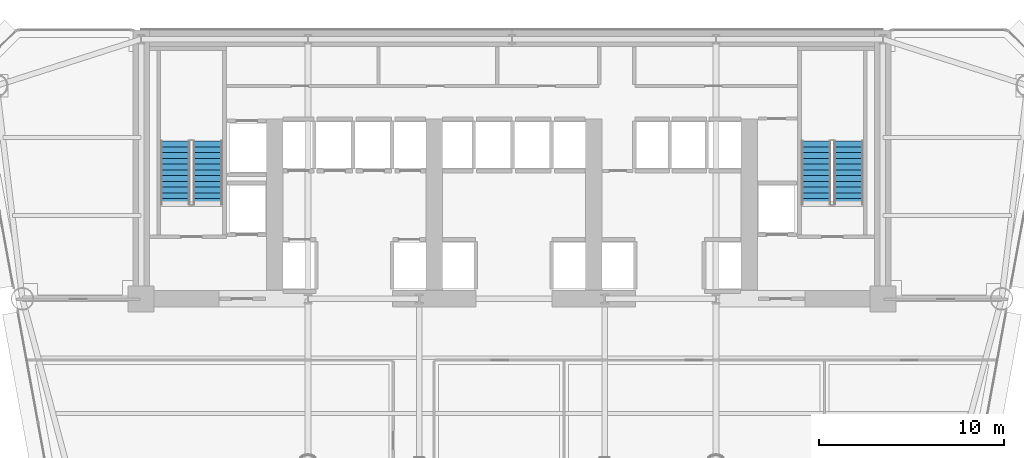
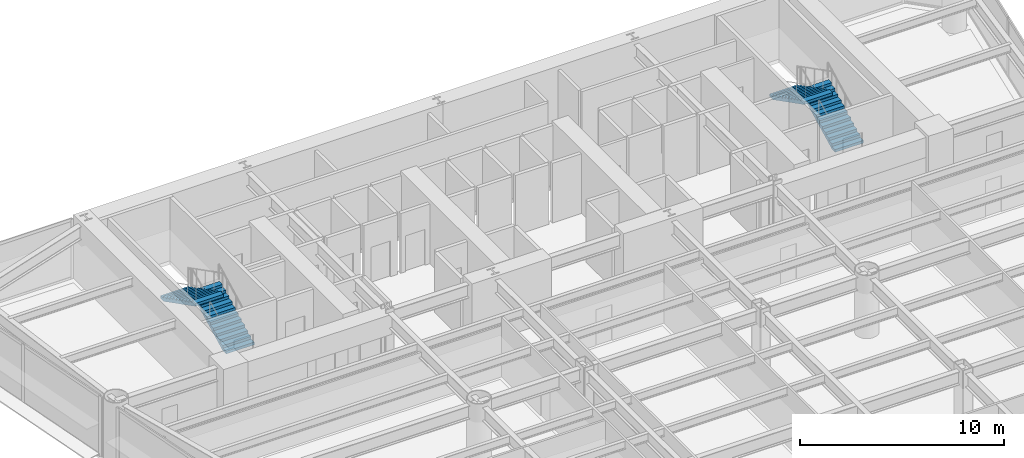
# One storey, part 10 of 14: 4 stair flights, 2 elements without a shape of their own.
"""IFC4 building model written with IfcOpenShell, lengths in metres."""

from ifc_helpers import new_model, si_unit, direction, frame, origin, place, context, subcontext, project, spatial, polyline, outline, extrude, material, type_object, element, aggregate, save


model = new_model("IFC4")

# Units and contexts
model_context = context("Model", 3, precision=1e-05, world=origin(), true_north=direction((0.0, 1.0)))
body_context = subcontext(model_context, "Body", "Model", "MODEL_VIEW")
ifc_project = project(units=[si_unit("LENGTHUNIT", "METRE"), si_unit("AREAUNIT", "SQUARE_METRE"), si_unit("VOLUMEUNIT", "CUBIC_METRE"), si_unit("PLANEANGLEUNIT", "RADIAN"), si_unit("MASSUNIT", "GRAM", prefix="KILO")], contexts=[model_context])

# Site, building, storey
site_placement = place(None, origin())
site = spatial("IfcSite", under=ifc_project, at=site_placement, CompositionType="ELEMENT")
building_placement = place(site_placement, origin())
building = spatial("IfcBuilding", under=site, at=building_placement, Name="Vaeldorn Concourse Tower", CompositionType="ELEMENT")
storey_placement = place(building_placement, frame((0.0, 0.0, 72.0)))
storey = spatial("IfcBuildingStorey", under=building, at=storey_placement, Name="L18", CompositionType="ELEMENT", Elevation=72.0)

# Stair, stair flights
ifc_material = material(Name="Precast concrete C40/50", Category="concrete")
stair_type = type_object("IfcStairType", Name="STR-DOG-24x158", PredefinedType="HALF_TURN_STAIR", material=ifc_material)
stair_1_placement = place(storey_placement, origin())
stair_1 = element("IfcStair", 1, at=stair_1_placement, inside=storey, type_object=stair_type, Name="L18 West Core Exit Stair ST-1", PredefinedType="HALF_TURN_STAIR")
stair_flight_type = type_object("IfcStairFlightType", Name="STF-STR-12x158", PredefinedType="STRAIGHT", material=ifc_material)
stair_flight_1_placement = place(storey_placement, frame((17.60009765625, 41.60009765625, 0.0), z_axis=(0.0, 0.0, 1.0), x_axis=(0.0, 1.0, 0.0)))
stair_flight_1 = element("IfcStairFlight", 2, at=stair_flight_1_placement, type_object=stair_flight_type, Name="ST-1 flight 1", NumberOfRisers=12, NumberOfTreads=11, PredefinedType="STRAIGHT", RiserHeight=0.158333333, TreadLength=0.31, context=body_context, shape_type="SweptSolid", body=[
    extrude(outline(polyline([(0.0, 0.0), (0.0, 0.158447265625), (0.31005859375, 0.158447265625), (0.31005859375, 0.316650390625), (0.6201171875, 0.316650390625), (0.6201171875, 0.47509765625), (0.929931640625, 0.47509765625), (0.929931640625, 0.63330078125), (1.239990234375, 0.63330078125), (1.239990234375, 0.791748046875), (1.550048828125, 0.791748046875), (1.550048828125, 0.949951171875), (1.860107421875, 0.949951171875), (1.860107421875, 1.1083984375), (2.169921875, 1.1083984375), (2.169921875, 1.2666015625), (2.47998046875, 1.2666015625), (2.47998046875, 1.425048828125), (2.7900390625, 1.425048828125), (2.7900390625, 1.583251953125), (3.10009765625, 1.583251953125), (3.10009765625, 1.74169921875), (3.409912109375, 1.74169921875), (3.409912109375, 1.89990234375), (3.409912109375, 1.5732421875), (0.32958984375, 0.0), (0.0, 0.0)])), frame((0.0, 0.800048828125, 0.0), z_axis=(0.0, -1.0, 0.0), x_axis=(1.0, 0.0, 0.0)), (0.0, 0.0, 1.0), 1.60009765625),
])
stair_flight_2_placement = place(storey_placement, frame((15.85009765625, 45.010009765625, 1.89990234375), z_axis=(0.0, 0.0, 1.0), x_axis=(0.0, -1.0, 0.0)))
stair_flight_2 = element("IfcStairFlight", 3, at=stair_flight_2_placement, type_object=stair_flight_type, Name="ST-1 flight 2", NumberOfRisers=12, NumberOfTreads=11, PredefinedType="STRAIGHT", RiserHeight=0.158333333, TreadLength=0.31, context=body_context, shape_type="SweptSolid", body=[
    extrude(outline(polyline([(0.0, 0.0), (0.0, 0.158447265625), (0.31005859375, 0.158447265625), (0.31005859375, 0.316650390625), (0.6201171875, 0.316650390625), (0.6201171875, 0.47509765625), (0.929931640625, 0.47509765625), (0.929931640625, 0.63330078125), (1.239990234375, 0.63330078125), (1.239990234375, 0.791748046875), (1.550048828125, 0.791748046875), (1.550048828125, 0.949951171875), (1.860107421875, 0.949951171875), (1.860107421875, 1.1083984375), (2.169921875, 1.1083984375), (2.169921875, 1.2666015625), (2.47998046875, 1.2666015625), (2.47998046875, 1.425048828125), (2.7900390625, 1.425048828125), (2.7900390625, 1.583251953125), (3.10009765625, 1.583251953125), (3.10009765625, 1.74169921875), (3.409912109375, 1.74169921875), (3.409912109375, 1.89990234375), (3.409912109375, 1.5732421875), (0.32958984375, 0.0), (0.0, 0.0)])), frame((0.0, 0.800048828125, 0.0), z_axis=(0.0, -1.0, 0.0), x_axis=(1.0, 0.0, 0.0)), (0.0, 0.0, 1.0), 1.60009765625),
])
aggregate(stair_1, [stair_flight_1, stair_flight_2])

stair_2_placement = place(storey_placement, origin())
stair_2 = element("IfcStair", 4, at=stair_2_placement, inside=storey, type_object=stair_type, Name="L18 East Core Exit Stair ST-2", PredefinedType="HALF_TURN_STAIR")
stair_flight_3_placement = place(storey_placement, frame((52.14990234375, 41.60009765625, 0.0), z_axis=(0.0, 0.0, 1.0), x_axis=(0.0, 1.0, 0.0)))
stair_flight_3 = element("IfcStairFlight", 5, at=stair_flight_3_placement, type_object=stair_flight_type, Name="ST-2 flight 1", NumberOfRisers=12, NumberOfTreads=11, PredefinedType="STRAIGHT", RiserHeight=0.158333333, TreadLength=0.31, context=body_context, shape_type="SweptSolid", body=[
    extrude(outline(polyline([(0.0, 0.0), (0.0, 0.158447265625), (0.31005859375, 0.158447265625), (0.31005859375, 0.316650390625), (0.6201171875, 0.316650390625), (0.6201171875, 0.47509765625), (0.929931640625, 0.47509765625), (0.929931640625, 0.63330078125), (1.239990234375, 0.63330078125), (1.239990234375, 0.791748046875), (1.550048828125, 0.791748046875), (1.550048828125, 0.949951171875), (1.860107421875, 0.949951171875), (1.860107421875, 1.1083984375), (2.169921875, 1.1083984375), (2.169921875, 1.2666015625), (2.47998046875, 1.2666015625), (2.47998046875, 1.425048828125), (2.7900390625, 1.425048828125), (2.7900390625, 1.583251953125), (3.10009765625, 1.583251953125), (3.10009765625, 1.74169921875), (3.409912109375, 1.74169921875), (3.409912109375, 1.89990234375), (3.409912109375, 1.5732421875), (0.32958984375, 0.0), (0.0, 0.0)])), frame((0.0, 0.800048828125, 0.0), z_axis=(0.0, -1.0, 0.0), x_axis=(1.0, 0.0, 0.0)), (0.0, 0.0, 1.0), 1.60009765625),
])
stair_flight_4_placement = place(storey_placement, frame((50.39990234375, 45.010009765625, 1.89990234375), z_axis=(0.0, 0.0, 1.0), x_axis=(0.0, -1.0, 0.0)))
stair_flight_4 = element("IfcStairFlight", 6, at=stair_flight_4_placement, type_object=stair_flight_type, Name="ST-2 flight 2", NumberOfRisers=12, NumberOfTreads=11, PredefinedType="STRAIGHT", RiserHeight=0.158333333, TreadLength=0.31, context=body_context, shape_type="SweptSolid", body=[
    extrude(outline(polyline([(0.0, 0.0), (0.0, 0.158447265625), (0.31005859375, 0.158447265625), (0.31005859375, 0.316650390625), (0.6201171875, 0.316650390625), (0.6201171875, 0.47509765625), (0.929931640625, 0.47509765625), (0.929931640625, 0.63330078125), (1.239990234375, 0.63330078125), (1.239990234375, 0.791748046875), (1.550048828125, 0.791748046875), (1.550048828125, 0.949951171875), (1.860107421875, 0.949951171875), (1.860107421875, 1.1083984375), (2.169921875, 1.1083984375), (2.169921875, 1.2666015625), (2.47998046875, 1.2666015625), (2.47998046875, 1.425048828125), (2.7900390625, 1.425048828125), (2.7900390625, 1.583251953125), (3.10009765625, 1.583251953125), (3.10009765625, 1.74169921875), (3.409912109375, 1.74169921875), (3.409912109375, 1.89990234375), (3.409912109375, 1.5732421875), (0.32958984375, 0.0), (0.0, 0.0)])), frame((0.0, 0.800048828125, 0.0), z_axis=(0.0, -1.0, 0.0), x_axis=(1.0, 0.0, 0.0)), (0.0, 0.0, 1.0), 1.60009765625),
])
aggregate(stair_2, [stair_flight_3, stair_flight_4])

save(model, "model.ifc")
